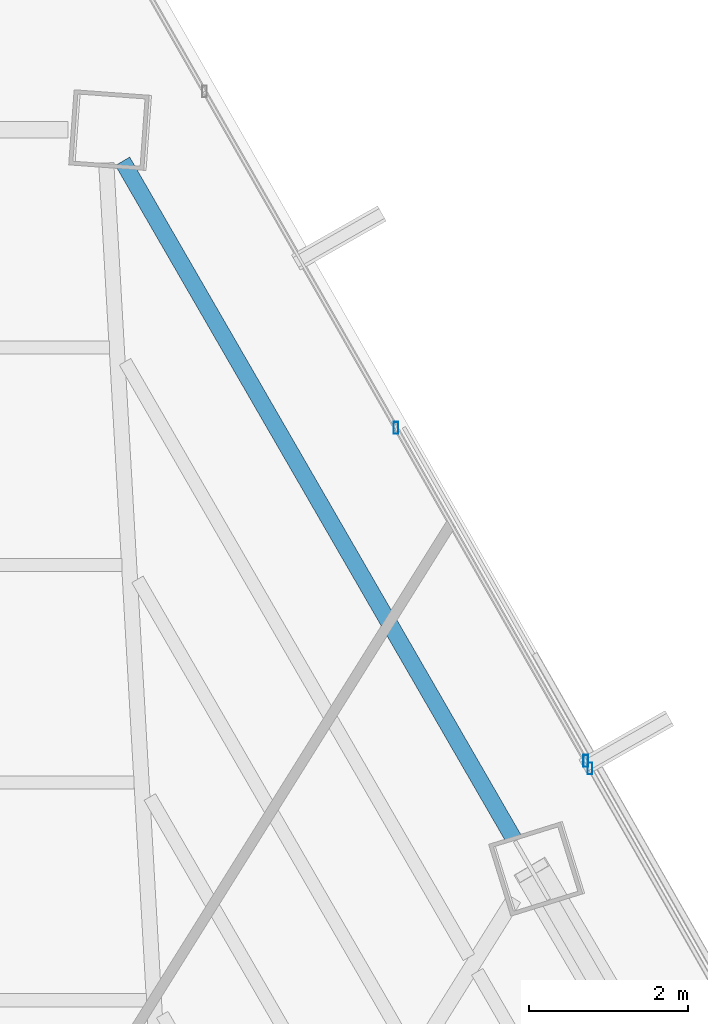
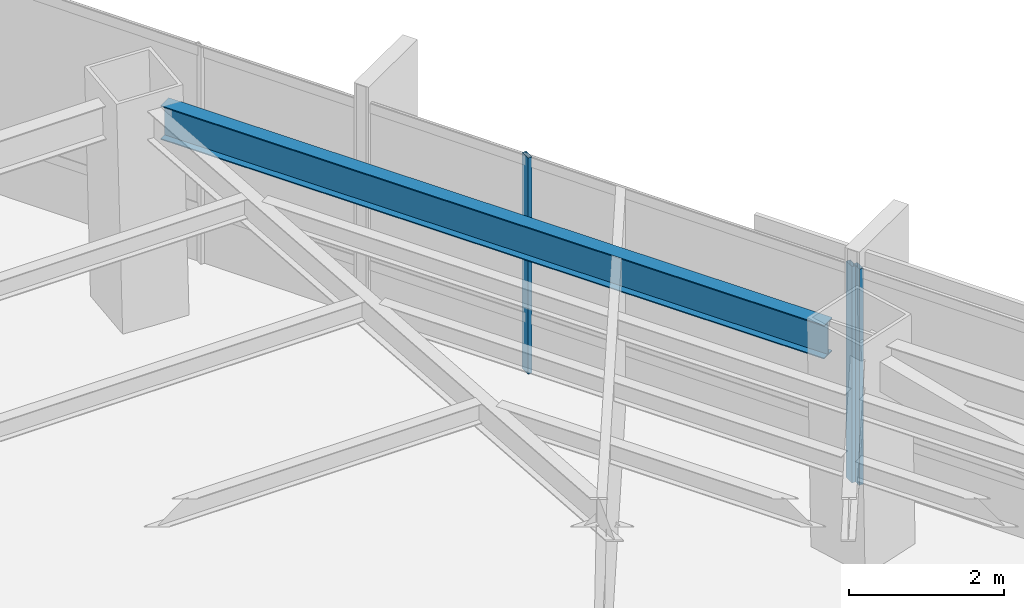
# One storey, part 31 of 39: 3 members, 1 beam, 2 elements without a shape of their own.
"""IFC4 building model written with IfcOpenShell, lengths in metres."""

from ifc_helpers import new_model, si_unit, direction, frame, origin, origin_2d, place, context, subcontext, project, spatial, hollow_rectangle, i_section, extrude, source, transform, mapped, material, material_profile, profile_set, type_object, type_shapes, element, aggregate, save


model = new_model("IFC4")

# Units and contexts
model_context = context("Model", 3, precision=1e-05, world=origin(), true_north=direction((0.0, 1.0)))
body_context = subcontext(model_context, "Body", "Model", "MODEL_VIEW")
ifc_project = project(units=[si_unit("LENGTHUNIT", "METRE"), si_unit("AREAUNIT", "SQUARE_METRE"), si_unit("VOLUMEUNIT", "CUBIC_METRE"), si_unit("PLANEANGLEUNIT", "RADIAN"), si_unit("MASSUNIT", "GRAM", prefix="KILO")], contexts=[model_context])

# Site, building, storey
site_placement = place(None, origin())
site = spatial("IfcSite", under=ifc_project, at=site_placement, CompositionType="ELEMENT")
building_placement = place(site_placement, origin())
building = spatial("IfcBuilding", under=site, at=building_placement, Name="Caelisora Broadcast Tower", CompositionType="ELEMENT")
storey_placement = place(building_placement, frame((0.0, 0.0, 139.10009765625)))
storey = spatial("IfcBuildingStorey", under=building, at=storey_placement, Name="L36", CompositionType="ELEMENT", Elevation=139.10009765625)

# Beam
ifc_material_1 = material(Name="Steel Grade 350 (AS/NZS 3679.1)", Category="steel")
ifc_material_profile_1 = material_profile(ifc_material_1, i_section(OverallWidth=0.208984375, OverallDepth=0.532958984375, WebThickness=0.01025390625, FlangeThickness=0.015625, at=origin_2d()), Name="Steel Grade 350 (AS/NZS 3679.1)")
ifc_profile_set_1 = profile_set([ifc_material_profile_1], Name="Steel Grade 350 (AS/NZS 3679.1)")
beam_type = type_object("IfcBeamType", Name="PG05", PredefinedType="BEAM", material=ifc_profile_set_1)
shared_shape_1 = source(origin(), body_context, "Body", "SweptSolid", [
    extrude(i_section(OverallWidth=0.208984375, OverallDepth=0.532958984375, WebThickness=0.01025390625, FlangeThickness=0.015625, at=origin_2d()), origin(), (0.0, 0.0, 1.0), 9.86865234375),
])
type_shapes(beam_type, [shared_shape_1])
beam_placement = place(storey_placement, frame((49.72509765625, 37.52978515625, 3.13330078125), z_axis=(-0.499994417569, 0.866028626779, 0.0), x_axis=(-0.866028626779, -0.499994417569, 0.0)))
element("IfcBeam", 1, at=beam_placement, inside=storey, type_object=beam_type, Name="L36 beam PG05", PredefinedType="BEAM", context=body_context, shape_type="MappedRepresentation", body=[
    mapped(shared_shape_1, transform((0.0, 0.0, 0.0), scale=1.0)),
])

# Curtain wall, members
ifc_material_2 = material(Name="Unitised Aluminium and Low-E Glass Curtain Wall", Category="glass")
curtain_wall_type_1 = type_object("IfcCurtainWallType", Name="CW-Z3", PredefinedType="NOTDEFINED", material=ifc_material_2)
curtain_wall_1_placement = place(storey_placement, origin())
curtain_wall_1 = element("IfcCurtainWall", 2, at=curtain_wall_1_placement, inside=storey, type_object=curtain_wall_type_1, Name="L36 curtain wall CW-Z3", PredefinedType="NOTDEFINED")
ifc_material_3 = material(Name="Aluminium 6063-T6 Anodised Terracotta Bronze", Category="aluminium")
ifc_material_profile_2 = material_profile(ifc_material_3, hollow_rectangle(XDim=0.06005859375, YDim=0.14990234375, WallThickness=0.00341796875, at=origin_2d()), Name="Aluminium 6063-T6 Anodised Terracotta Bronze")
ifc_profile_set_2 = profile_set([ifc_material_profile_2], Name="Aluminium 6063-T6 Anodised Terracotta Bronze")
member_type = type_object("IfcMemberType", Name="CWM-03", PredefinedType="MULLION", material=ifc_profile_set_2)
shared_shape_2 = source(origin(), body_context, "Body", "SweptSolid", [
    extrude(hollow_rectangle(XDim=0.06005859375, YDim=0.14990234375, WallThickness=0.00341796875, at=origin_2d()), origin(), (0.0, 0.0, 1.0), 3.39990234375),
])
type_shapes(member_type, [shared_shape_2])
member_1_placement = place(storey_placement, frame((48.240478515625, 42.712158203125, 0.0), z_axis=(0.0, 0.0, 1.0), x_axis=(1.0, 0.0, 0.0)))
member_1 = element("IfcMember", 3, at=member_1_placement, type_object=member_type, Name="L36-CW-B01 mullion #2", PredefinedType="MULLION", context=body_context, shape_type="MappedRepresentation", body=[
    mapped(shared_shape_2, transform((0.0, 0.0, 0.0), scale=1.0)),
])
member_2_placement = place(storey_placement, frame((50.63330078125, 38.51171875, 0.0), z_axis=(0.0, 0.0, 1.0), x_axis=(1.0, 0.0, 0.0)))
member_2 = element("IfcMember", 4, at=member_2_placement, type_object=member_type, Name="L36-CW-B01 mullion #3", PredefinedType="MULLION", context=body_context, shape_type="MappedRepresentation", body=[
    mapped(shared_shape_2, transform((0.0, 0.0, 0.0), scale=1.0)),
])
aggregate(curtain_wall_1, [member_1, member_2])

# Curtain wall, member
ifc_material_4 = material(Name="Unitised Aluminium Insulated Shadow-Box Spandrel Curtain Wall", Category="aluminium")
curtain_wall_type_2 = type_object("IfcCurtainWallType", Name="CW-SP2", PredefinedType="NOTDEFINED", material=ifc_material_4)
curtain_wall_2_placement = place(storey_placement, origin())
curtain_wall_2 = element("IfcCurtainWall", 5, at=curtain_wall_2_placement, inside=storey, type_object=curtain_wall_type_2, Name="L36 curtain wall CW-SP2", PredefinedType="NOTDEFINED")
member_3_placement = place(storey_placement, frame((50.687744140625, 38.416259765625, 0.0), z_axis=(0.0, 0.0, 1.0), x_axis=(1.0, 0.0, 0.0)))
member_3 = element("IfcMember", 6, at=member_3_placement, type_object=member_type, Name="L36-CW-B02 mullion #0", PredefinedType="MULLION", context=body_context, shape_type="MappedRepresentation", body=[
    mapped(shared_shape_2, transform((0.0, 0.0, 0.0), scale=1.0)),
])
aggregate(curtain_wall_2, [member_3])

save(model, "model.ifc")
